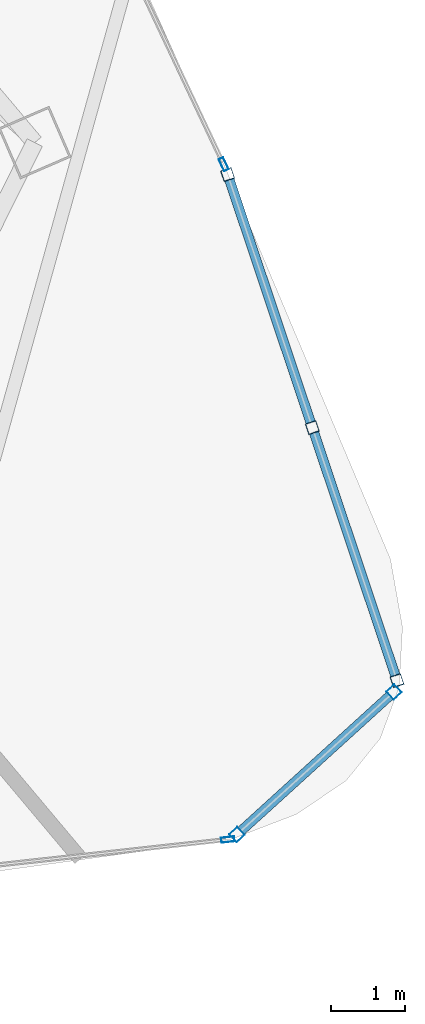
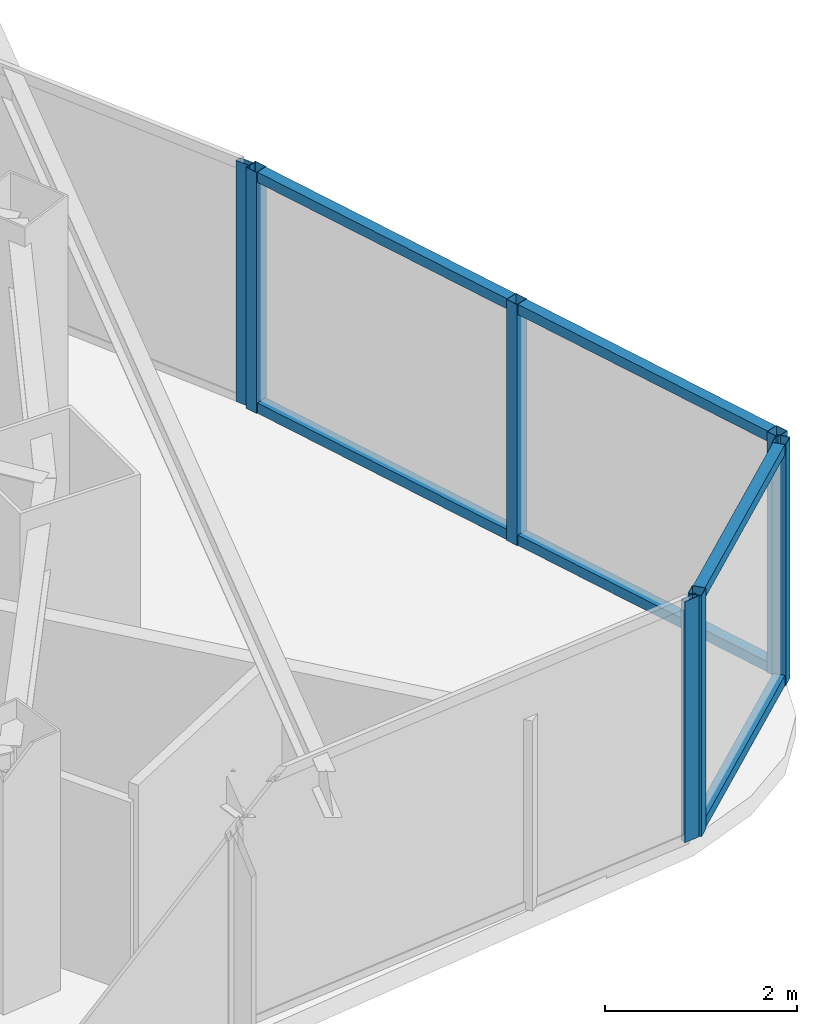
# One storey, part 15 of 31: 13 members, 4 elements without a shape of their own.
"""IFC4 building model written with IfcOpenShell, lengths in metres."""

from ifc_helpers import new_model, si_unit, direction, frame, origin, origin_2d, place, context, subcontext, project, spatial, hollow_rectangle, extrude, material, layer, layer_set, material_profile, profile_set, type_object, element, aggregate, save


model = new_model("IFC4")

# Units and contexts
model_context = context("Model", 3, precision=1e-05, world=origin(), true_north=direction((0.0, 1.0)))
body_context = subcontext(model_context, "Body", "Model", "MODEL_VIEW")
ifc_project = project(units=[si_unit("LENGTHUNIT", "METRE"), si_unit("AREAUNIT", "SQUARE_METRE"), si_unit("VOLUMEUNIT", "CUBIC_METRE"), si_unit("PLANEANGLEUNIT", "RADIAN"), si_unit("MASSUNIT", "GRAM", prefix="KILO")], contexts=[model_context])

# Site, building, storey
site_placement = place(None, origin())
site = spatial("IfcSite", under=ifc_project, at=site_placement, CompositionType="ELEMENT")
building_placement = place(site_placement, origin())
building = spatial("IfcBuilding", under=site, at=building_placement, Name="Orvanel Arch Residences", CompositionType="ELEMENT")
storey_placement = place(building_placement, frame((0.0, 0.0, 129.800048828125)))
storey = spatial("IfcBuildingStorey", under=building, at=storey_placement, Name="L36", CompositionType="ELEMENT", Elevation=129.800048828125)

# Curtain wall, members
ifc_material = material(Name="Bronze-anodised aluminium AA6063-T6", Category="aluminium")
ifc_layer_1 = layer(ifc_material, 0.18994140625)
ifc_layer_set_1 = layer_set([ifc_layer_1], Name="Bronze-anodised aluminium AA6063-T6")
curtain_wall_type_1 = type_object("IfcCurtainWallType", Name="CW5-CRN-SYS", PredefinedType="NOTDEFINED", material=ifc_layer_set_1)
curtain_wall_1_placement = place(storey_placement, origin())
curtain_wall_1 = element("IfcCurtainWall", 1, at=curtain_wall_1_placement, inside=storey, type_object=curtain_wall_type_1, Name="L36 CW5-CRN-SYS Unitised Curtain Wall", PredefinedType="NOTDEFINED")
ifc_material_profile_1 = material_profile(ifc_material, hollow_rectangle(XDim=0.14990234375, YDim=0.14990234375, WallThickness=0.0048828125, at=origin_2d()), Name="ALU150x150x5")
ifc_profile_set_1 = profile_set([ifc_material_profile_1], Name="Bronze-anodised aluminium AA6063-T6")
member_type_1 = type_object("IfcMemberType", Name="MUL-150x150", PredefinedType="MULLION", material=ifc_profile_set_1)
member_1_placement = place(storey_placement, frame((56.6494140625, 5.198486328125, 0.0), z_axis=(0.0, 0.0, 1.0), x_axis=(-0.672409480271, 0.740179363966, 0.0)))
member_1 = element("IfcMember", 2, at=member_1_placement, type_object=member_type_1, Name="CW-S5 mullion 1", PredefinedType="MULLION", context=body_context, shape_type="SweptSolid", body=[
    extrude(hollow_rectangle(XDim=0.14990234375, YDim=0.14990234375, WallThickness=0.0048828125, at=origin_2d()), origin(), (0.0, 0.0, 1.0), 3.06005859375),
])
member_2_placement = place(storey_placement, frame((58.777587890625, 7.131591796875, 0.0), z_axis=(0.0, 0.0, 1.0), x_axis=(-0.672409480271, 0.740179363966, 0.0)))
member_2 = element("IfcMember", 3, at=member_2_placement, type_object=member_type_1, Name="CW-S5 mullion 2", PredefinedType="MULLION", context=body_context, shape_type="SweptSolid", body=[
    extrude(hollow_rectangle(XDim=0.14990234375, YDim=0.14990234375, WallThickness=0.0048828125, at=origin_2d()), origin(), (0.0, 0.0, 1.0), 3.06005859375),
])

curtain_wall_2_placement = place(storey_placement, origin())
curtain_wall_2 = element("IfcCurtainWall", 4, at=curtain_wall_2_placement, inside=storey, type_object=curtain_wall_type_1, Name="L36 CW5-CRN-SYS Unitised Curtain Wall", PredefinedType="NOTDEFINED")
member_3_placement = place(storey_placement, frame((58.818115234375, 7.28515625, 0.0), z_axis=(0.0, 0.0, 1.0), x_axis=(-0.94830351155, -0.317364853099, 0.0)))
member_3 = element("IfcMember", 5, at=member_3_placement, type_object=member_type_1, Name="CW-S5 mullion 1", PredefinedType="MULLION", context=body_context, shape_type="SweptSolid", body=[
    extrude(hollow_rectangle(XDim=0.14990234375, YDim=0.14990234375, WallThickness=0.0048828125, at=origin_2d()), origin(), (0.0, 0.0, 1.0), 3.06005859375),
])
member_4_placement = place(storey_placement, frame((57.669921875, 10.716064453125, 0.0), z_axis=(0.0, 0.0, 1.0), x_axis=(-0.94830351155, -0.317364853099, 0.0)))
member_4 = element("IfcMember", 6, at=member_4_placement, type_object=member_type_1, Name="CW-S5 mullion 2", PredefinedType="MULLION", context=body_context, shape_type="SweptSolid", body=[
    extrude(hollow_rectangle(XDim=0.14990234375, YDim=0.14990234375, WallThickness=0.0048828125, at=origin_2d()), origin(), (0.0, 0.0, 1.0), 3.06005859375),
])
member_5_placement = place(storey_placement, frame((56.521728515625, 14.14697265625, 0.0), z_axis=(0.0, 0.0, 1.0), x_axis=(-0.94830351155, -0.317364853099, 0.0)))
member_5 = element("IfcMember", 7, at=member_5_placement, type_object=member_type_1, Name="CW-S5 mullion 3", PredefinedType="MULLION", context=body_context, shape_type="SweptSolid", body=[
    extrude(hollow_rectangle(XDim=0.14990234375, YDim=0.14990234375, WallThickness=0.0048828125, at=origin_2d()), origin(), (0.0, 0.0, 1.0), 3.06005859375),
])

# Curtain wall, member
ifc_layer_2 = layer(ifc_material, 0.179931640625)
ifc_layer_set_2 = layer_set([ifc_layer_2], Name="Bronze-anodised aluminium AA6063-T6")
curtain_wall_type_2 = type_object("IfcCurtainWallType", Name="CW3-MID-SYS", PredefinedType="NOTDEFINED", material=ifc_layer_set_2)
curtain_wall_3_placement = place(storey_placement, origin())
curtain_wall_3 = element("IfcCurtainWall", 8, at=curtain_wall_3_placement, inside=storey, type_object=curtain_wall_type_2, Name="L36 CW3-MID-SYS Unitised Curtain Wall", PredefinedType="NOTDEFINED")
ifc_material_profile_2 = material_profile(ifc_material, hollow_rectangle(XDim=0.070068359375, YDim=0.179931640625, WallThickness=0.00439453125, at=origin_2d()), Name="ALU180x70x4.5")
ifc_profile_set_2 = profile_set([ifc_material_profile_2], Name="Bronze-anodised aluminium AA6063-T6")
member_type_2 = type_object("IfcMemberType", Name="MUL-180x70", PredefinedType="MULLION", material=ifc_profile_set_2)
member_6_placement = place(storey_placement, frame((56.524169921875, 5.129150390625, 0.0), z_axis=(0.0, 0.0, 1.0), x_axis=(-0.109627687319, 0.993972721041, 0.0)))
member_6 = element("IfcMember", 9, at=member_6_placement, type_object=member_type_2, Name="CW-S3 mullion 4", PredefinedType="MULLION", context=body_context, shape_type="SweptSolid", body=[
    extrude(hollow_rectangle(XDim=0.070068359375, YDim=0.179931640625, WallThickness=0.00439453125, at=origin_2d()), origin(), (0.0, 0.0, 1.0), 3.06005859375),
])
aggregate(curtain_wall_3, [member_6])

curtain_wall_4_placement = place(storey_placement, origin())
curtain_wall_4 = element("IfcCurtainWall", 10, at=curtain_wall_4_placement, inside=storey, type_object=curtain_wall_type_2, Name="L36 CW3-MID-SYS Unitised Curtain Wall", PredefinedType="NOTDEFINED")
member_7_placement = place(storey_placement, frame((56.468017578125, 14.28662109375, 0.0), z_axis=(0.0, 0.0, 1.0), x_axis=(-0.904626023981, -0.426206237326, 0.0)))
member_7 = element("IfcMember", 11, at=member_7_placement, type_object=member_type_2, Name="CW-S3 mullion 1", PredefinedType="MULLION", context=body_context, shape_type="SweptSolid", body=[
    extrude(hollow_rectangle(XDim=0.070068359375, YDim=0.179931640625, WallThickness=0.00439453125, at=origin_2d()), origin(), (0.0, 0.0, 1.0), 3.06005859375),
])
aggregate(curtain_wall_4, [member_7])

# Member
ifc_material_profile_3 = material_profile(ifc_material, hollow_rectangle(XDim=0.1298828125, YDim=0.1298828125, WallThickness=0.00439453125, at=origin_2d()), Name="ALU130x130x4.5")
ifc_profile_set_3 = profile_set([ifc_material_profile_3], Name="Bronze-anodised aluminium AA6063-T6")
member_type_3 = type_object("IfcMemberType", Name="TRN-130x130", PredefinedType="USERDEFINED", material=ifc_profile_set_3)
member_8_placement = place(storey_placement, frame((56.705078125, 5.248779296875, 0.06494140625), z_axis=(0.740163012364, 0.672427479457, 0.0), x_axis=(-0.672427479457, 0.740163012364, 0.0)))
member_8 = element("IfcMember", 12, at=member_8_placement, type_object=member_type_3, Name="CW-S5 transom 1.1", ObjectType="TRANSOM", PredefinedType="USERDEFINED", context=body_context, shape_type="SweptSolid", body=[
    extrude(hollow_rectangle(XDim=0.1298828125, YDim=0.1298828125, WallThickness=0.00439453125, at=origin_2d()), origin(), (0.0, 0.0, 1.0), 2.724853515625),
])

member_9_placement = place(storey_placement, frame((56.705078125, 5.248779296875, 2.994873046875), z_axis=(0.740163012364, 0.672427479457, 0.0), x_axis=(-0.672427479457, 0.740163012364, 0.0)))
member_9 = element("IfcMember", 13, at=member_9_placement, type_object=member_type_3, Name="CW-S5 transom 1.2", ObjectType="TRANSOM", PredefinedType="USERDEFINED", context=body_context, shape_type="SweptSolid", body=[
    extrude(hollow_rectangle(XDim=0.1298828125, YDim=0.1298828125, WallThickness=0.00439453125, at=origin_2d()), origin(), (0.0, 0.0, 1.0), 2.724853515625),
])

aggregate(curtain_wall_1, [member_1, member_2, member_8, member_9])

member_10_placement = place(storey_placement, frame((58.79443359375, 7.356201171875, 0.06494140625), z_axis=(-0.317368034876, 0.948302446712, 0.0), x_axis=(-0.948302446712, -0.317368034876, 0.0)))
member_10 = element("IfcMember", 14, at=member_10_placement, type_object=member_type_3, Name="CW-S5 transom 1.1", ObjectType="TRANSOM", PredefinedType="USERDEFINED", context=body_context, shape_type="SweptSolid", body=[
    extrude(hollow_rectangle(XDim=0.1298828125, YDim=0.1298828125, WallThickness=0.00439453125, at=origin_2d()), origin(), (0.0, 0.0, 1.0), 3.4677734375),
])

member_11_placement = place(storey_placement, frame((58.79443359375, 7.356201171875, 2.994873046875), z_axis=(-0.317368034876, 0.948302446712, 0.0), x_axis=(-0.948302446712, -0.317368034876, 0.0)))
member_11 = element("IfcMember", 15, at=member_11_placement, type_object=member_type_3, Name="CW-S5 transom 1.2", ObjectType="TRANSOM", PredefinedType="USERDEFINED", context=body_context, shape_type="SweptSolid", body=[
    extrude(hollow_rectangle(XDim=0.1298828125, YDim=0.1298828125, WallThickness=0.00439453125, at=origin_2d()), origin(), (0.0, 0.0, 1.0), 3.4677734375),
])

member_12_placement = place(storey_placement, frame((57.646240234375, 10.787109375, 0.06494140625), z_axis=(-0.317368034876, 0.948302446712, 0.0), x_axis=(-0.948302446712, -0.317368034876, 0.0)))
member_12 = element("IfcMember", 16, at=member_12_placement, type_object=member_type_3, Name="CW-S5 transom 2.1", ObjectType="TRANSOM", PredefinedType="USERDEFINED", context=body_context, shape_type="SweptSolid", body=[
    extrude(hollow_rectangle(XDim=0.1298828125, YDim=0.1298828125, WallThickness=0.00439453125, at=origin_2d()), origin(), (0.0, 0.0, 1.0), 3.4677734375),
])

member_13_placement = place(storey_placement, frame((57.646240234375, 10.787109375, 2.994873046875), z_axis=(-0.317368034876, 0.948302446712, 0.0), x_axis=(-0.948302446712, -0.317368034876, 0.0)))
member_13 = element("IfcMember", 17, at=member_13_placement, type_object=member_type_3, Name="CW-S5 transom 2.2", ObjectType="TRANSOM", PredefinedType="USERDEFINED", context=body_context, shape_type="SweptSolid", body=[
    extrude(hollow_rectangle(XDim=0.1298828125, YDim=0.1298828125, WallThickness=0.00439453125, at=origin_2d()), origin(), (0.0, 0.0, 1.0), 3.4677734375),
])

aggregate(curtain_wall_2, [member_3, member_4, member_5, member_10, member_11, member_12, member_13])

save(model, "model.ifc")
